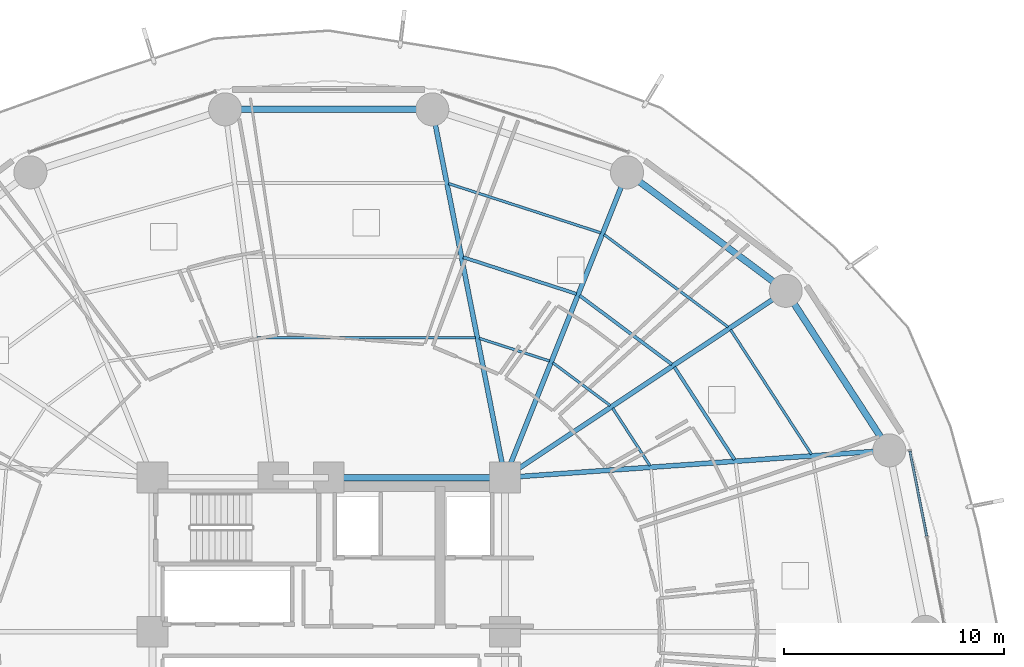
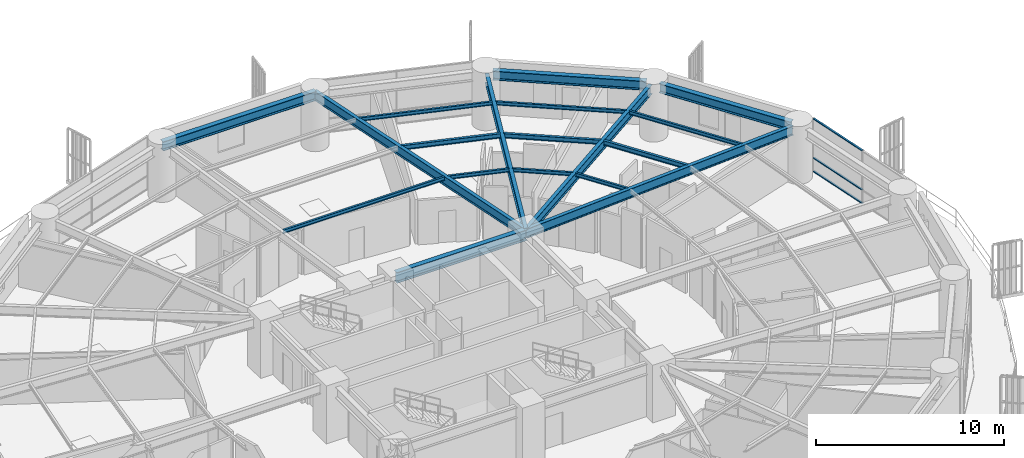
# One storey, part 18 of 31: 18 beams, 3 members, 1 element without a shape of its own.
"""IFC4 building model written with IfcOpenShell, lengths in metres."""

from ifc_helpers import new_model, si_unit, direction, frame, origin, origin_2d, place, context, subcontext, project, spatial, hollow_rectangle, i_section, extrude, material, layer, layer_set, material_profile, profile_set, type_object, element, aggregate, save


model = new_model("IFC4")

# Units and contexts
model_context = context("Model", 3, precision=1e-05, world=origin(), true_north=direction((0.0, 1.0)))
body_context = subcontext(model_context, "Body", "Model", "MODEL_VIEW")
ifc_project = project(units=[si_unit("LENGTHUNIT", "METRE"), si_unit("AREAUNIT", "SQUARE_METRE"), si_unit("VOLUMEUNIT", "CUBIC_METRE"), si_unit("PLANEANGLEUNIT", "RADIAN"), si_unit("MASSUNIT", "GRAM", prefix="KILO")], contexts=[model_context])

# Site, building, storey
site_placement = place(None, origin())
site = spatial("IfcSite", under=ifc_project, at=site_placement, CompositionType="ELEMENT")
building_placement = place(site_placement, origin())
building = spatial("IfcBuilding", under=site, at=building_placement, Name="Kelanora Arch Commons", CompositionType="ELEMENT")
storey_placement = place(building_placement, frame((0.0, 0.0, 63.75)))
storey = spatial("IfcBuildingStorey", under=building, at=storey_placement, Name="L16", CompositionType="ELEMENT", Elevation=63.75)

# Beams
ifc_material_1 = material(Name="Steel S355", Category="steel")
ifc_material_profile_1 = material_profile(ifc_material_1, i_section(OverallWidth=0.300048828125, OverallDepth=0.699951171875, WebThickness=0.01708984375, FlangeThickness=0.031982421875, FilletRadius=0.027099609375, at=origin_2d()), Name="HEB700")
ifc_profile_set_1 = profile_set([ifc_material_profile_1], Name="Steel S355")
beam_type_1 = type_object("IfcBeamType", Name="BM-CORE-HDR", PredefinedType="BEAM", material=ifc_profile_set_1)
beam_1_placement = place(storey_placement, frame((82.0, 65.0, 3.139892578125), z_axis=(-1.0, 0.0, 0.0), x_axis=(0.0, -1.0, 0.0)))
element("IfcBeam", 1, at=beam_1_placement, inside=storey, type_object=beam_type_1, Name="Core Header Beam 05 L16", PredefinedType="BEAM", context=body_context, shape_type="SweptSolid", body=[
    extrude(i_section(OverallWidth=0.300048828125, OverallDepth=0.699951171875, WebThickness=0.01708984375, FlangeThickness=0.031982421875, FilletRadius=0.027099609375, at=origin_2d()), origin(), (0.0, 0.0, 1.0), 8.0),
])
ifc_material_profile_2 = material_profile(ifc_material_1, i_section(OverallWidth=0.14990234375, OverallDepth=0.300048828125, WebThickness=0.007080078125, FlangeThickness=0.0107421875, FilletRadius=0.014892578125, at=origin_2d()), Name="IPE300")
ifc_profile_set_2 = profile_set([ifc_material_profile_2], Name="Steel S355")
beam_type_2 = type_object("IfcBeamType", Name="BM-JST-01", PredefinedType="JOIST", material=ifc_profile_set_2)
beam_2_placement = place(storey_placement, frame((92.421875, 65.812744140625, 3.340087890625), z_axis=(-0.544551588245, 0.838727350061, 0.0), x_axis=(-0.838727350061, -0.544551588245, 0.0)))
element("IfcBeam", 2, at=beam_2_placement, inside=storey, type_object=beam_type_2, Name="Secondary Chord Joist BJB-02 L16", PredefinedType="JOIST", context=body_context, shape_type="SweptSolid", body=[
    extrude(i_section(OverallWidth=0.14990234375, OverallDepth=0.300048828125, WebThickness=0.007080078125, FlangeThickness=0.0107421875, FilletRadius=0.014892578125, at=origin_2d()), origin(), (0.0, 0.0, 1.0), 5.010986328125),
])
beam_3_placement = place(storey_placement, frame((89.57861328125, 70.1376953125, 3.340087890625), z_axis=(-0.801478251559, 0.598023922831, 0.0), x_axis=(-0.598023922831, -0.801478251559, 0.0)))
element("IfcBeam", 3, at=beam_3_placement, inside=storey, type_object=beam_type_2, Name="Secondary Chord Joist BJB-04 L16", PredefinedType="JOIST", context=body_context, shape_type="SweptSolid", body=[
    extrude(i_section(OverallWidth=0.14990234375, OverallDepth=0.300048828125, WebThickness=0.007080078125, FlangeThickness=0.0107421875, FilletRadius=0.014892578125, at=origin_2d()), origin(), (0.0, 0.0, 1.0), 5.223388671875),
])
beam_4_placement = place(storey_placement, frame((85.2431640625, 73.33837890625, 3.340087890625), z_axis=(-0.951412209627, 0.307920131482, 0.0), x_axis=(-0.307920131482, -0.951412209627, 0.0)))
element("IfcBeam", 4, at=beam_4_placement, inside=storey, type_object=beam_type_2, Name="Secondary Chord Joist BJB-06 L16", PredefinedType="JOIST", context=body_context, shape_type="SweptSolid", body=[
    extrude(i_section(OverallWidth=0.14990234375, OverallDepth=0.300048828125, WebThickness=0.007080078125, FlangeThickness=0.0107421875, FilletRadius=0.014892578125, at=origin_2d()), origin(), (0.0, 0.0, 1.0), 5.4033203125),
])
ifc_material_profile_3 = material_profile(ifc_material_1, i_section(OverallWidth=0.1201171875, OverallDepth=0.239990234375, WebThickness=0.006103515625, FlangeThickness=0.009765625, FilletRadius=0.014892578125, at=origin_2d()), Name="IPE240")
ifc_profile_set_3 = profile_set([ifc_material_profile_3], Name="Steel S355")
beam_type_3 = type_object("IfcBeamType", Name="BM-JST-02", PredefinedType="JOIST", material=ifc_profile_set_3)
beam_5_placement = place(storey_placement, frame((88.58349609375, 65.541015625, 3.3701171875), z_axis=(-0.544591105858, 0.838701691557, 0.0), x_axis=(-0.838701691557, -0.544591105858, 0.0)))
element("IfcBeam", 5, at=beam_5_placement, inside=storey, type_object=beam_type_3, Name="Secondary Chord Joist BJA-02 L16", PredefinedType="JOIST", context=body_context, shape_type="SweptSolid", body=[
    extrude(i_section(OverallWidth=0.1201171875, OverallDepth=0.239990234375, WebThickness=0.006103515625, FlangeThickness=0.009765625, FilletRadius=0.014892578125, at=origin_2d()), origin(), (0.0, 0.0, 1.0), 3.111328125),
])
beam_6_placement = place(storey_placement, frame((95.9111328125, 66.059814453125, 3.3701171875), z_axis=(-0.544550165372, 0.838728273873, 0.0), x_axis=(-0.838728273873, -0.544550165372, 0.0)))
element("IfcBeam", 6, at=beam_6_placement, inside=storey, type_object=beam_type_3, Name="Secondary Chord Joist BJC-02 L16", PredefinedType="JOIST", context=body_context, shape_type="SweptSolid", body=[
    extrude(i_section(OverallWidth=0.1201171875, OverallDepth=0.239990234375, WebThickness=0.006103515625, FlangeThickness=0.009765625, FilletRadius=0.014892578125, at=origin_2d()), origin(), (0.0, 0.0, 1.0), 6.738037109375),
])
beam_7_placement = place(storey_placement, frame((86.77490234375, 68.272705078125, 3.3701171875), z_axis=(-0.801513822608, 0.59797624716, 0.0), x_axis=(-0.59797624716, -0.801513822608, 0.0)))
element("IfcBeam", 7, at=beam_7_placement, inside=storey, type_object=beam_type_3, Name="Secondary Chord Joist BJA-04 L16", PredefinedType="JOIST", context=body_context, shape_type="SweptSolid", body=[
    extrude(i_section(OverallWidth=0.1201171875, OverallDepth=0.239990234375, WebThickness=0.006103515625, FlangeThickness=0.009765625, FilletRadius=0.014892578125, at=origin_2d()), origin(), (0.0, 0.0, 1.0), 3.245849609375),
])
beam_8_placement = place(storey_placement, frame((92.12744140625, 71.83349609375, 3.3701171875), z_axis=(-0.80149131963, 0.598006408459, 0.0), x_axis=(-0.598006408459, -0.80149131963, 0.0)))
element("IfcBeam", 8, at=beam_8_placement, inside=storey, type_object=beam_type_3, Name="Secondary Chord Joist BJC-04 L16", PredefinedType="JOIST", context=body_context, shape_type="SweptSolid", body=[
    extrude(i_section(OverallWidth=0.1201171875, OverallDepth=0.239990234375, WebThickness=0.006103515625, FlangeThickness=0.009765625, FilletRadius=0.014892578125, at=origin_2d()), origin(), (0.0, 0.0, 1.0), 7.021240234375),
])
beam_9_placement = place(storey_placement, frame((84.0244140625, 70.290771484375, 3.3701171875), z_axis=(-0.951422608074, 0.30788800049, 0.0), x_axis=(-0.30788800049, -0.951422608074, 0.0)))
element("IfcBeam", 9, at=beam_9_placement, inside=storey, type_object=beam_type_3, Name="Secondary Chord Joist BJA-06 L16", PredefinedType="JOIST", context=body_context, shape_type="SweptSolid", body=[
    extrude(i_section(OverallWidth=0.1201171875, OverallDepth=0.239990234375, WebThickness=0.006103515625, FlangeThickness=0.009765625, FilletRadius=0.014892578125, at=origin_2d()), origin(), (0.0, 0.0, 1.0), 3.359619140625),
])
beam_10_placement = place(storey_placement, frame((86.35107421875, 76.109375, 3.3701171875), z_axis=(-0.951410915705, 0.307924129418, 0.0), x_axis=(-0.307924129418, -0.951410915705, 0.0)))
element("IfcBeam", 10, at=beam_10_placement, inside=storey, type_object=beam_type_3, Name="Secondary Chord Joist BJC-06 L16", PredefinedType="JOIST", context=body_context, shape_type="SweptSolid", body=[
    extrude(i_section(OverallWidth=0.1201171875, OverallDepth=0.239990234375, WebThickness=0.006103515625, FlangeThickness=0.009765625, FilletRadius=0.014892578125, at=origin_2d()), origin(), (0.0, 0.0, 1.0), 7.260986328125),
])
beam_11_placement = place(storey_placement, frame((80.661865234375, 71.351318359375, 3.3701171875), z_axis=(-1.0, 0.0, 0.0), x_axis=(0.0, -1.0, 0.0)))
element("IfcBeam", 11, at=beam_11_placement, inside=storey, type_object=beam_type_3, Name="Secondary Chord Joist BJA-08 L16", PredefinedType="JOIST", context=body_context, shape_type="SweptSolid", body=[
    extrude(i_section(OverallWidth=0.1201171875, OverallDepth=0.239990234375, WebThickness=0.006103515625, FlangeThickness=0.009765625, FilletRadius=0.014892578125, at=origin_2d()), origin(), (0.0, 0.0, 1.0), 9.92626953125),
])
ifc_material_profile_4 = material_profile(ifc_material_1, i_section(OverallWidth=0.219970703125, OverallDepth=0.60009765625, WebThickness=0.011962890625, FlangeThickness=0.01904296875, FilletRadius=0.02392578125, at=origin_2d()), Name="IPE600")
ifc_profile_set_4 = profile_set([ifc_material_profile_4], Name="Steel S355")
beam_type_4 = type_object("IfcBeamType", Name="BM-RAD-Z1", PredefinedType="BEAM", material=ifc_profile_set_4)
beam_12_placement = place(storey_placement, frame((82.0, 65.0, 3.18994140625), z_axis=(0.997500678462, 0.070656892572, 0.0), x_axis=(-0.070656892572, 0.997500678462, 0.0)))
element("IfcBeam", 12, at=beam_12_placement, inside=storey, type_object=beam_type_4, Name="Radial Floor Girder BR-02 L16", PredefinedType="BEAM", context=body_context, shape_type="SweptSolid", body=[
    extrude(i_section(OverallWidth=0.219970703125, OverallDepth=0.60009765625, WebThickness=0.011962890625, FlangeThickness=0.01904296875, FilletRadius=0.02392578125, at=origin_2d()), origin(), (0.0, 0.0, 1.0), 17.110595703125),
])
beam_13_placement = place(storey_placement, frame((82.0, 65.0, 3.18994140625), z_axis=(0.832590897434, 0.553888434173, 0.0), x_axis=(-0.553888434173, 0.832590897434, 0.0)))
element("IfcBeam", 13, at=beam_13_placement, inside=storey, type_object=beam_type_4, Name="Radial Floor Girder BR-04 L16", PredefinedType="BEAM", context=body_context, shape_type="SweptSolid", body=[
    extrude(i_section(OverallWidth=0.219970703125, OverallDepth=0.60009765625, WebThickness=0.011962890625, FlangeThickness=0.01904296875, FilletRadius=0.02392578125, at=origin_2d()), origin(), (0.0, 0.0, 1.0), 14.9267578125),
])
beam_14_placement = place(storey_placement, frame((82.0, 65.0, 3.18994140625), z_axis=(0.37129803903, 0.928513740454, 0.0), x_axis=(-0.928513740454, 0.37129803903, 0.0)))
element("IfcBeam", 14, at=beam_14_placement, inside=storey, type_object=beam_type_4, Name="Radial Floor Girder BR-06 L16", PredefinedType="BEAM", context=body_context, shape_type="SweptSolid", body=[
    extrude(i_section(OverallWidth=0.219970703125, OverallDepth=0.60009765625, WebThickness=0.011962890625, FlangeThickness=0.01904296875, FilletRadius=0.02392578125, at=origin_2d()), origin(), (0.0, 0.0, 1.0), 14.540771484375),
])
beam_15_placement = place(storey_placement, frame((82.0, 65.0, 3.18994140625), z_axis=(-0.19356352044, 0.981087745084, 0.0), x_axis=(-0.981087745084, -0.19356352044, 0.0)))
element("IfcBeam", 15, at=beam_15_placement, inside=storey, type_object=beam_type_4, Name="Radial Floor Girder BR-08 L16", PredefinedType="BEAM", context=body_context, shape_type="SweptSolid", body=[
    extrude(i_section(OverallWidth=0.219970703125, OverallDepth=0.60009765625, WebThickness=0.011962890625, FlangeThickness=0.01904296875, FilletRadius=0.02392578125, at=origin_2d()), origin(), (0.0, 0.0, 1.0), 17.036376953125),
])
ifc_material_profile_5 = material_profile(ifc_material_1, i_section(OverallWidth=0.300048828125, OverallDepth=0.60009765625, WebThickness=0.015380859375, FlangeThickness=0.030029296875, FilletRadius=0.027099609375, at=origin_2d()), Name="HEB600")
ifc_profile_set_5 = profile_set([ifc_material_profile_5], Name="Steel S355")
beam_type_5 = type_object("IfcBeamType", Name="BM-SPN-Z1", PredefinedType="SPANDREL", material=ifc_profile_set_5)
beam_16_placement = place(storey_placement, frame((99.239990234375, 66.554443359375, 3.18994140625), z_axis=(-0.54455786519, 0.838723274662, 0.0), x_axis=(-0.838723274662, -0.54455786519, 0.0)))
element("IfcBeam", 16, at=beam_16_placement, inside=storey, type_object=beam_type_5, Name="Perimeter Spandrel Beam BS-02 L16", PredefinedType="SPANDREL", context=body_context, shape_type="SweptSolid", body=[
    extrude(i_section(OverallWidth=0.300048828125, OverallDepth=0.60009765625, WebThickness=0.015380859375, FlangeThickness=0.030029296875, FilletRadius=0.027099609375, at=origin_2d()), origin(), (0.0, 0.0, 1.0), 7.875244140625),
])
beam_17_placement = place(storey_placement, frame((94.43994140625, 73.70556640625, 3.18994140625), z_axis=(-0.801482139897, 0.598018711601, 0.0), x_axis=(-0.598018711601, -0.801482139897, 0.0)))
element("IfcBeam", 17, at=beam_17_placement, inside=storey, type_object=beam_type_5, Name="Perimeter Spandrel Beam BS-04 L16", PredefinedType="SPANDREL", context=body_context, shape_type="SweptSolid", body=[
    extrude(i_section(OverallWidth=0.300048828125, OverallDepth=0.60009765625, WebThickness=0.015380859375, FlangeThickness=0.030029296875, FilletRadius=0.027099609375, at=origin_2d()), origin(), (0.0, 0.0, 1.0), 8.22900390625),
])
beam_18_placement = place(storey_placement, frame((78.702392578125, 81.714111328125, 3.18994140625), z_axis=(-1.0, 0.0, 0.0), x_axis=(0.0, -1.0, 0.0)))
element("IfcBeam", 18, at=beam_18_placement, inside=storey, type_object=beam_type_5, Name="Perimeter Spandrel Beam BS-08 L16", PredefinedType="SPANDREL", context=body_context, shape_type="SweptSolid", body=[
    extrude(i_section(OverallWidth=0.300048828125, OverallDepth=0.60009765625, WebThickness=0.015380859375, FlangeThickness=0.030029296875, FilletRadius=0.027099609375, at=origin_2d()), origin(), (0.0, 0.0, 1.0), 9.40478515625),
])

# Curtain wall, members
ifc_material_2 = material(Name="Terracotta ceramic-fritted low-E glass and aluminium", Category="masonry")
ifc_layer = layer(ifc_material_2, 0.159912109375)
ifc_layer_set = layer_set([ifc_layer], Name="Terracotta ceramic-fritted low-E glass and aluminium")
curtain_wall_type = type_object("IfcCurtainWallType", Name="CW-SYS-01", PredefinedType="NOTDEFINED", material=ifc_layer_set)
curtain_wall_placement = place(storey_placement, origin())
curtain_wall = element("IfcCurtainWall", 19, at=curtain_wall_placement, inside=storey, type_object=curtain_wall_type, Name="Unitised Curtain Wall L16-B00", PredefinedType="NOTDEFINED")
ifc_material_3 = material(Name="Powder-coated aluminium terracotta", Category="masonry")
ifc_material_profile_6 = material_profile(ifc_material_3, hollow_rectangle(XDim=0.1201171875, YDim=0.06005859375, WallThickness=0.0048828125, InnerFilletRadius=0.0048828125, OuterFilletRadius=0.010009765625, at=origin_2d()), Name="CWT120x60")
ifc_profile_set_6 = profile_set([ifc_material_profile_6], Name="Powder-coated aluminium terracotta")
member_type = type_object("IfcMemberType", Name="CWT-STD", PredefinedType="USERDEFINED", material=ifc_profile_set_6)
member_1_placement = place(storey_placement, frame((101.142578125, 62.3408203125, 0.030029296875), z_axis=(-0.193725436624, 0.98105578598, 0.0), x_axis=(-0.98105578598, -0.193725436624, 0.0)))
member_1 = element("IfcMember", 20, at=member_1_placement, type_object=member_type, Name="CW-01 transom 2.1", ObjectType="TRANSOM", PredefinedType="USERDEFINED", context=body_context, shape_type="SweptSolid", body=[
    extrude(hollow_rectangle(XDim=0.1201171875, YDim=0.06005859375, WallThickness=0.0048828125, InnerFilletRadius=0.0048828125, OuterFilletRadius=0.010009765625, at=origin_2d()), origin(), (0.0, 0.0, 1.0), 3.9482421875),
])
member_2_placement = place(storey_placement, frame((101.142578125, 62.3408203125, 0.89990234375), z_axis=(-0.193725436624, 0.98105578598, 0.0), x_axis=(-0.98105578598, -0.193725436624, 0.0)))
member_2 = element("IfcMember", 21, at=member_2_placement, type_object=member_type, Name="CW-01 transom 2.2", ObjectType="TRANSOM", PredefinedType="USERDEFINED", context=body_context, shape_type="SweptSolid", body=[
    extrude(hollow_rectangle(XDim=0.1201171875, YDim=0.06005859375, WallThickness=0.0048828125, InnerFilletRadius=0.0048828125, OuterFilletRadius=0.010009765625, at=origin_2d()), origin(), (0.0, 0.0, 1.0), 3.9482421875),
])
member_3_placement = place(storey_placement, frame((101.142578125, 62.3408203125, 3.445068359375), z_axis=(-0.193725436624, 0.98105578598, 0.0), x_axis=(-0.98105578598, -0.193725436624, 0.0)))
member_3 = element("IfcMember", 22, at=member_3_placement, type_object=member_type, Name="CW-01 transom 2.3", ObjectType="TRANSOM", PredefinedType="USERDEFINED", context=body_context, shape_type="SweptSolid", body=[
    extrude(hollow_rectangle(XDim=0.1201171875, YDim=0.06005859375, WallThickness=0.0048828125, InnerFilletRadius=0.0048828125, OuterFilletRadius=0.010009765625, at=origin_2d()), origin(), (0.0, 0.0, 1.0), 3.9482421875),
])
aggregate(curtain_wall, [member_1, member_2, member_3])

save(model, "model.ifc")
